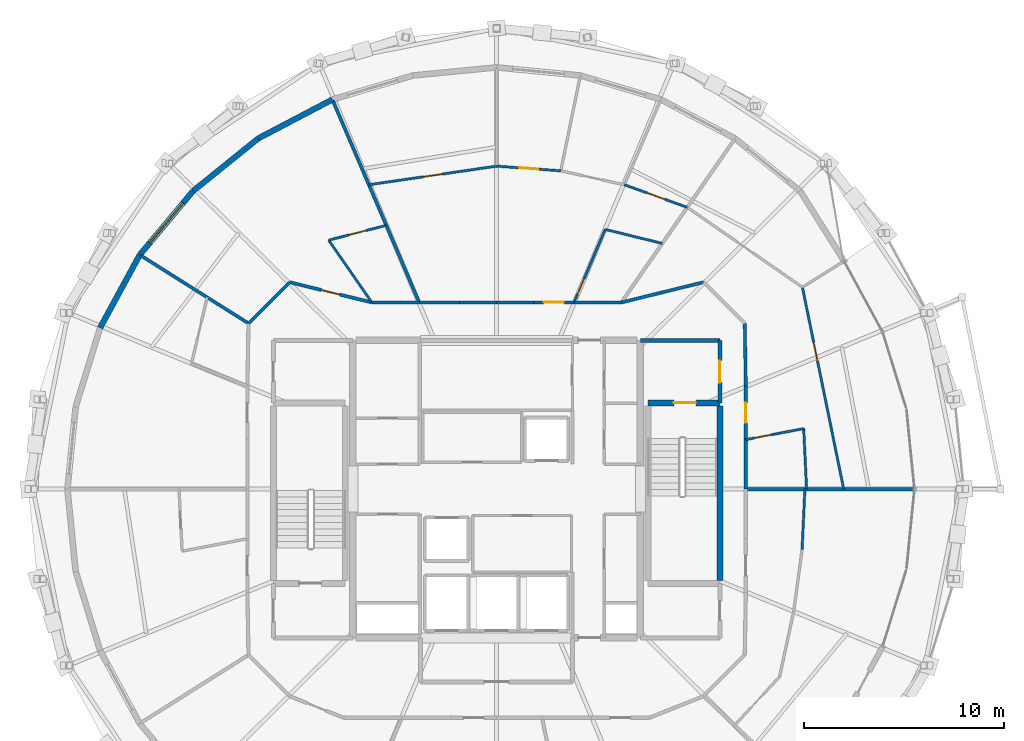
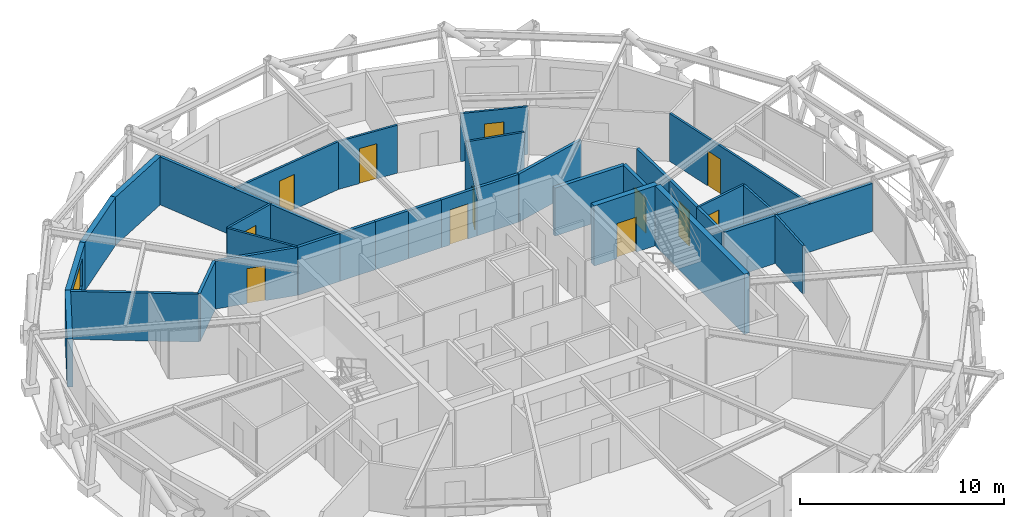
# One storey, part 16 of 18: 34 walls, 12 doors, 1 window, 13 openings.
"""IFC4 building model written with IfcOpenShell, lengths in metres."""

from ifc_helpers import new_model, si_unit, direction, frame, frame_2d, origin, place, context, subcontext, project, spatial, rectangle, extrude, material, layer, layer_set, type_object, element, fill, save


model = new_model("IFC4")

# Units and contexts
model_context = context("Model", 3, precision=1e-05, world=origin(), true_north=direction((0.0, 1.0)))
body_context = subcontext(model_context, "Body", "Model", "MODEL_VIEW")
ifc_project = project(units=[si_unit("LENGTHUNIT", "METRE"), si_unit("AREAUNIT", "SQUARE_METRE"), si_unit("VOLUMEUNIT", "CUBIC_METRE"), si_unit("PLANEANGLEUNIT", "RADIAN"), si_unit("MASSUNIT", "GRAM", prefix="KILO")], contexts=[model_context])

# Site, building, storey
site_placement = place(None, origin())
site = spatial("IfcSite", under=ifc_project, at=site_placement, CompositionType="ELEMENT")
building_placement = place(site_placement, origin())
building = spatial("IfcBuilding", under=site, at=building_placement, Name="Veldorina Hangang Commons", CompositionType="ELEMENT")
storey_placement = place(building_placement, frame((0.0, 0.0, 243.60009765625)))
storey = spatial("IfcBuildingStorey", under=building, at=storey_placement, Name="L63", CompositionType="ELEMENT", Elevation=243.60009765625)

# Walls
ifc_material_1 = material(Name="Stone Roman Travertine", Category="masonry")
ifc_layer_1 = layer(ifc_material_1, 0.280029296875)
ifc_layer_set_1 = layer_set([ifc_layer_1], Name="Stone Roman Travertine")
wall_type_1 = type_object("IfcWallType", Name="EW-TRAV-280", PredefinedType="STANDARD", material=ifc_layer_set_1)
wall_1_placement = place(storey_placement, frame((23.77490234375, 43.513916015625, 0.0), z_axis=(0.0, 0.0, 1.0), x_axis=(-0.885290153249, -0.46503907853, 0.0)))
element("IfcWall", 1, at=wall_1_placement, inside=storey, type_object=wall_type_1, Name="L63 travertine facade wall 10", PredefinedType="STANDARD", context=body_context, shape_type="SweptSolid", body=[
    extrude(rectangle(XDim=4.197265625, YDim=0.280029296875, at=frame_2d((2.0986328125, 0.0))), origin(), (0.0, 0.0, 1.0), 2.8798828125),
])
wall_2_placement = place(storey_placement, frame((20.05908203125, 41.56201171875, 0.0), z_axis=(0.0, 0.0, 1.0), x_axis=(-0.778409360575, -0.627757012999, 0.0)))
element("IfcWall", 2, at=wall_2_placement, inside=storey, type_object=wall_type_1, Name="L63 travertine facade wall 11", PredefinedType="STANDARD", context=body_context, shape_type="SweptSolid", body=[
    extrude(rectangle(XDim=4.184326171875, YDim=0.280029296875, at=frame_2d((2.09228515625, 0.0))), origin(), (0.0, 0.0, 1.0), 2.8798828125),
])

# Wall, opening, window
wall_3_placement = place(storey_placement, frame((16.802001953125, 38.935302734375, 0.0), z_axis=(0.0, 0.0, 1.0), x_axis=(-0.64097876836, -0.767558609171, 0.0)))
wall_3 = element("IfcWall", 3, at=wall_3_placement, inside=storey, type_object=wall_type_1, Name="L63 travertine facade wall 12", PredefinedType="STANDARD", context=body_context, shape_type="SweptSolid", body=[
    extrude(rectangle(XDim=4.169921875, YDim=0.280029296875, at=frame_2d((2.0849609375, 0.0))), origin(), (0.0, 0.0, 1.0), 2.8798828125),
])
opening_1_placement = place(wall_3_placement, frame((0.784912109375, 0.0, 0.800048828125)))
opening_1 = element("IfcOpeningElement", 4, at=opening_1_placement, cuts=wall_3, Name="Opening W-02", PredefinedType="OPENING", context=body_context, shape_type="SweptSolid", body=[
    extrude(rectangle(XDim=2.60009765625, YDim=1.64990234375, at=frame_2d((1.300048828125, 0.824951171875))), frame((0.0, 0.14990234375, 0.0), z_axis=(0.0, -1.0, 0.0), x_axis=(1.0, 0.0, 0.0)), (0.0, 0.0, 1.0), 0.300048828125),
])
ifc_material_2 = material(Name="Glass Low-E Triple IGU", Category="glass")
window_type = type_object("IfcWindowType", Name="WIN-TWR-2600", PartitioningType="SINGLE_PANEL", PredefinedType="WINDOW", material=ifc_material_2)
window_placement = place(opening_1_placement, origin())
window = element("IfcWindow", 5, at=window_placement, inside=storey, type_object=window_type, Name="L63 facade window 12", OverallHeight=1.64990234375, OverallWidth=2.60009765625, PartitioningType="SINGLE_PANEL", PredefinedType="WINDOW", context=body_context, shape_type="SweptSolid", body=[
    extrude(rectangle(XDim=2.60009765625, YDim=1.64990234375, at=frame_2d((1.300048828125, 0.824951171875))), frame((0.0, 0.030029296875, 0.0), z_axis=(0.0, -1.0, 0.0), x_axis=(1.0, 0.0, 0.0)), (0.0, 0.0, 1.0), 0.06005859375),
])
fill(opening_1, window)

# Walls
wall_4_placement = place(storey_placement, frame((14.129150390625, 35.734619140625, 0.0), z_axis=(0.0, 0.0, 1.0), x_axis=(-0.477839535555, -0.878447140277, 0.0)))
element("IfcWall", 6, at=wall_4_placement, inside=storey, type_object=wall_type_1, Name="L63 travertine facade wall 13", PredefinedType="STANDARD", context=body_context, shape_type="SweptSolid", body=[
    extrude(rectangle(XDim=4.156982421875, YDim=0.280029296875, at=frame_2d((2.07861328125, 0.0))), origin(), (0.0, 0.0, 1.0), 2.8798828125),
])
ifc_material_3 = material(Name="Concrete C50/60", Category="concrete")
ifc_layer_2 = layer(ifc_material_3, 0.300048828125)
ifc_layer_set_2 = layer_set([ifc_layer_2], Name="Concrete C50/60")
wall_type_2 = type_object("IfcWallType", Name="SW-STAIR-300", PredefinedType="SHEAR", material=ifc_layer_set_2)
wall_5_placement = place(storey_placement, frame((43.179931640625, 19.429931640625, 0.0), z_axis=(0.0, 0.0, 1.0), x_axis=(0.0, 1.0, 0.0)))
element("IfcWall", 7, at=wall_5_placement, inside=storey, type_object=wall_type_2, Name="L63 ST2 outer stair shear wall", PredefinedType="SHEAR", context=body_context, shape_type="SweptSolid", body=[
    extrude(rectangle(XDim=8.739990234375, YDim=0.300048828125, at=frame_2d((4.3701171875, 0.0))), origin(), (0.0, 0.0, 1.0), 3.599853515625),
])

# Wall, opening, door
wall_6_placement = place(storey_placement, frame((39.580078125, 28.320068359375, 0.0), z_axis=(0.0, 0.0, 1.0), x_axis=(1.0, 0.0, 0.0)))
wall_6 = element("IfcWall", 8, at=wall_6_placement, inside=storey, type_object=wall_type_2, Name="L63 ST2 north stair shear wall", PredefinedType="SHEAR", context=body_context, shape_type="SweptSolid", body=[
    extrude(rectangle(XDim=3.599853515625, YDim=0.300048828125, at=frame_2d((1.7998046875, 0.0))), origin(), (0.0, 0.0, 1.0), 3.599853515625),
])
opening_2_placement = place(wall_6_placement, frame((1.300048828125, 0.0, 0.0)))
opening_2 = element("IfcOpeningElement", 9, at=opening_2_placement, cuts=wall_6, Name="Opening D-08", PredefinedType="OPENING", context=body_context, shape_type="SweptSolid", body=[
    extrude(rectangle(XDim=1.10009765625, YDim=2.10009765625, at=frame_2d((0.550048828125, 1.050048828125))), frame((0.0, 0.16015625, 0.0), z_axis=(0.0, -1.0, 0.0), x_axis=(1.0, 0.0, 0.0)), (0.0, 0.0, 1.0), 0.320068359375),
])
ifc_material_4 = material(Name="Steel Fire-Rated Smoke Seal", Category="steel")
door_type_1 = type_object("IfcDoorType", Name="DR-FIRE-1100", OperationType="SINGLE_SWING_RIGHT", PredefinedType="DOOR", material=ifc_material_4)
door_1_placement = place(opening_2_placement, origin())
door_1 = element("IfcDoor", 10, at=door_1_placement, inside=storey, type_object=door_type_1, Name="L63 Special Escape Stair ST-2 door", OperationType="SINGLE_SWING_RIGHT", OverallHeight=2.10009765625, OverallWidth=1.10009765625, PredefinedType="DOOR", context=body_context, shape_type="SweptSolid", body=[
    extrude(rectangle(XDim=1.10009765625, YDim=2.10009765625, at=frame_2d((0.550048828125, 1.050048828125))), frame((0.0, 0.02490234375, 0.0), z_axis=(0.0, -1.0, 0.0), x_axis=(1.0, 0.0, 0.0)), (0.0, 0.0, 1.0), 0.050048828125),
])
fill(opening_2, door_1)

# Wall
ifc_material_5 = material(Name="Gypsum Fire-Rated Twin Stud Wall", Category="gypsum")
ifc_layer_3 = layer(ifc_material_5, 0.159912109375)
ifc_layer_set_3 = layer_set([ifc_layer_3], Name="Gypsum Fire-Rated Twin Stud Wall")
wall_type_3 = type_object("IfcWallType", Name="WL-FIRE-160", PredefinedType="SOLIDWALL", material=ifc_layer_set_3)
wall_7_placement = place(storey_placement, frame((44.47998046875, 24.0, 0.0), z_axis=(0.0, 0.0, 1.0), x_axis=(0.0, 1.0, 0.0)))
element("IfcWall", 11, at=wall_7_placement, inside=storey, type_object=wall_type_3, Name="L63 Compact collar outer wall 00 052", PredefinedType="SOLIDWALL", context=body_context, shape_type="SweptSolid", body=[
    extrude(rectangle(XDim=2.482421875, YDim=0.159912109375, at=frame_2d((1.2412109375, 0.0))), origin(), (0.0, 0.0, 1.0), 2.869873046875),
])

# Wall, opening, door
wall_8_placement = place(storey_placement, frame((44.47998046875, 26.482421875, 0.0), z_axis=(0.0, 0.0, 1.0), x_axis=(0.0, 1.0, 0.0)))
wall_8 = element("IfcWall", 12, at=wall_8_placement, inside=storey, type_object=wall_type_3, Name="L63 Compact collar outer wall 01 053", PredefinedType="SOLIDWALL", context=body_context, shape_type="SweptSolid", body=[
    extrude(rectangle(XDim=2.68701171875, YDim=0.159912109375, at=frame_2d((1.343505859375, 0.0))), origin(), (0.0, 0.0, 1.0), 2.869873046875),
])
opening_3_placement = place(wall_8_placement, frame((0.843505859375, 0.0, 0.0)))
opening_3 = element("IfcOpeningElement", 13, at=opening_3_placement, cuts=wall_8, Name="Opening D-06", PredefinedType="OPENING", context=body_context, shape_type="SweptSolid", body=[
    extrude(rectangle(XDim=1.0, YDim=2.10009765625, at=frame_2d((0.5, 1.050048828125))), frame((0.0, 0.08984375, 0.0), z_axis=(0.0, -1.0, 0.0), x_axis=(1.0, 0.0, 0.0)), (0.0, 0.0, 1.0), 0.179931640625),
])
ifc_material_6 = material(Name="Timber Fire-Rated Entrance Core", Category="wood")
door_type_2 = type_object("IfcDoorType", Name="DR-UNIT-1000", OperationType="SINGLE_SWING_LEFT", PredefinedType="DOOR", material=ifc_material_6)
door_2_placement = place(opening_3_placement, origin())
door_2 = element("IfcDoor", 14, at=door_2_placement, inside=storey, type_object=door_type_2, Name="L63 Cluster 2 entrance door 023", OperationType="SINGLE_SWING_LEFT", OverallHeight=2.10009765625, OverallWidth=1.0, PredefinedType="DOOR", context=body_context, shape_type="SweptSolid", body=[
    extrude(rectangle(XDim=1.0, YDim=2.10009765625, at=frame_2d((0.5, 1.050048828125))), frame((0.0, 0.02490234375, 0.0), z_axis=(0.0, -1.0, 0.0), x_axis=(1.0, 0.0, 0.0)), (0.0, 0.0, 1.0), 0.050048828125),
])
fill(opening_3, door_2)

# Walls
wall_9_placement = place(storey_placement, frame((44.47998046875, 29.16943359375, 0.0), z_axis=(0.0, 0.0, 1.0), x_axis=(-0.016981035134, 0.999855811828, 0.0)))
element("IfcWall", 15, at=wall_9_placement, inside=storey, type_object=wall_type_3, Name="L63 Compact collar outer wall 02 054", PredefinedType="SOLIDWALL", context=body_context, shape_type="SweptSolid", body=[
    extrude(rectangle(XDim=3.13427734375, YDim=0.159912109375, at=frame_2d((1.567138671875, 0.0))), origin(), (0.0, 0.0, 1.0), 2.869873046875),
])
wall_10_placement = place(storey_placement, frame((42.364990234375, 34.364990234375, 0.0), z_axis=(0.0, 0.0, 1.0), x_axis=(-0.970939799552, -0.239323850978, 0.0)))
element("IfcWall", 16, at=wall_10_placement, inside=storey, type_object=wall_type_3, Name="L63 Compact collar outer wall 04 056", PredefinedType="SOLIDWALL", context=body_context, shape_type="SweptSolid", body=[
    extrude(rectangle(XDim=4.24072265625, YDim=0.159912109375, at=frame_2d((2.120361328125, 0.0))), origin(), (0.0, 0.0, 1.0), 2.869873046875),
])
wall_11_placement = place(storey_placement, frame((38.24755859375, 33.35009765625, 0.0), z_axis=(0.0, 0.0, 1.0), x_axis=(-1.0, 0.0, 0.0)))
element("IfcWall", 17, at=wall_11_placement, inside=storey, type_object=wall_type_3, Name="L63 Compact collar outer wall 05 057", PredefinedType="SOLIDWALL", context=body_context, shape_type="SweptSolid", body=[
    extrude(rectangle(XDim=2.374755859375, YDim=0.159912109375, at=frame_2d((1.1875, 0.0))), origin(), (0.0, 0.0, 1.0), 2.869873046875),
])

# Wall, opening, door
wall_12_placement = place(storey_placement, frame((35.872802734375, 33.35009765625, 0.0), z_axis=(0.0, 0.0, 1.0), x_axis=(-1.0, 0.0, 0.0)))
wall_12 = element("IfcWall", 18, at=wall_12_placement, inside=storey, type_object=wall_type_3, Name="L63 Compact collar outer wall 06 058", PredefinedType="SOLIDWALL", context=body_context, shape_type="SweptSolid", body=[
    extrude(rectangle(XDim=2.012939453125, YDim=0.159912109375, at=frame_2d((1.00634765625, 0.0))), origin(), (0.0, 0.0, 1.0), 2.869873046875),
])
opening_4_placement = place(wall_12_placement, frame((0.506591796875, 0.0, 0.0)))
opening_4 = element("IfcOpeningElement", 19, at=opening_4_placement, cuts=wall_12, Name="Opening D-06", PredefinedType="OPENING", context=body_context, shape_type="SweptSolid", body=[
    extrude(rectangle(XDim=1.0, YDim=2.10009765625, at=frame_2d((0.5, 1.050048828125))), frame((0.0, 0.08984375, 0.0), z_axis=(0.0, -1.0, 0.0), x_axis=(1.0, 0.0, 0.0)), (0.0, 0.0, 1.0), 0.179931640625),
])
door_3_placement = place(opening_4_placement, origin())
door_3 = element("IfcDoor", 20, at=door_3_placement, inside=storey, type_object=door_type_2, Name="L63 Cluster 3 entrance door 027", OperationType="SINGLE_SWING_LEFT", OverallHeight=2.10009765625, OverallWidth=1.0, PredefinedType="DOOR", context=body_context, shape_type="SweptSolid", body=[
    extrude(rectangle(XDim=1.0, YDim=2.10009765625, at=frame_2d((0.5, 1.050048828125))), frame((0.0, 0.02490234375, 0.0), z_axis=(0.0, -1.0, 0.0), x_axis=(1.0, 0.0, 0.0)), (0.0, 0.0, 1.0), 0.050048828125),
])
fill(opening_4, door_3)

# Walls
for number, where, z_axis, x_axis, name in (
    (21, (33.85986328125, 33.35009765625, 0.0), (0.0, 0.0, 1.0), (-1.0, 0.0, 0.0), "L63 Compact collar outer wall 07 059"),
    (22, (32.0, 33.35009765625, 0.0), (0.0, 0.0, 1.0), (-1.0, 0.0, 0.0), "L63 Compact collar outer wall 08 060"),
):
    element("IfcWall", number, at=place(storey_placement, frame(where, z_axis=z_axis, x_axis=x_axis)), inside=storey, type_object=wall_type_3, Name=name, PredefinedType="SOLIDWALL", context=body_context, shape_type="SweptSolid", body=[
        extrude(rectangle(XDim=1.85986328125, YDim=0.159912109375, at=frame_2d((0.929931640625, 0.0))), origin(), (0.0, 0.0, 1.0), 2.869873046875),
    ])
wall_13_placement = place(storey_placement, frame((30.14013671875, 33.35009765625, 0.0), z_axis=(0.0, 0.0, 1.0), x_axis=(-1.0, 0.0, 0.0)))
element("IfcWall", 23, at=wall_13_placement, inside=storey, type_object=wall_type_3, Name="L63 Compact collar outer wall 09 061", PredefinedType="SOLIDWALL", context=body_context, shape_type="SweptSolid", body=[
    extrude(rectangle(XDim=2.012939453125, YDim=0.159912109375, at=frame_2d((1.00634765625, 0.0))), origin(), (0.0, 0.0, 1.0), 2.869873046875),
])
wall_14_placement = place(storey_placement, frame((28.127197265625, 33.35009765625, 0.0), z_axis=(0.0, 0.0, 1.0), x_axis=(-1.0, 0.0, 0.0)))
element("IfcWall", 24, at=wall_14_placement, inside=storey, type_object=wall_type_3, Name="L63 Compact collar outer wall 10 062", PredefinedType="SOLIDWALL", context=body_context, shape_type="SweptSolid", body=[
    extrude(rectangle(XDim=2.374755859375, YDim=0.159912109375, at=frame_2d((1.1875, 0.0))), origin(), (0.0, 0.0, 1.0), 2.869873046875),
])

# Wall, opening, door
wall_15_placement = place(storey_placement, frame((25.75244140625, 33.35009765625, 0.0), z_axis=(0.0, 0.0, 1.0), x_axis=(-0.970939799552, 0.239323850978, 0.0)))
wall_15 = element("IfcWall", 25, at=wall_15_placement, inside=storey, type_object=wall_type_3, Name="L63 Compact collar outer wall 11 063", PredefinedType="SOLIDWALL", context=body_context, shape_type="SweptSolid", body=[
    extrude(rectangle(XDim=4.24072265625, YDim=0.159912109375, at=frame_2d((2.120361328125, 0.0))), origin(), (0.0, 0.0, 1.0), 2.869873046875),
])
opening_5_placement = place(wall_15_placement, frame((1.6455078125, 0.0, 0.0)))
opening_5 = element("IfcOpeningElement", 26, at=opening_5_placement, cuts=wall_15, Name="Opening D-03", PredefinedType="OPENING", context=body_context, shape_type="SweptSolid", body=[
    extrude(rectangle(XDim=0.949951171875, YDim=2.10009765625, at=frame_2d((0.47509765625, 1.050048828125))), frame((0.0, 0.08984375, 0.0), z_axis=(0.0, -1.0, 0.0), x_axis=(1.0, 0.0, 0.0)), (0.0, 0.0, 1.0), 0.179931640625),
])
door_type_3 = type_object("IfcDoorType", Name="DR-UNIT-950", OperationType="SINGLE_SWING_RIGHT", PredefinedType="DOOR", material=ifc_material_6)
door_4_placement = place(opening_5_placement, origin())
door_4 = element("IfcDoor", 27, at=door_4_placement, inside=storey, type_object=door_type_3, Name="L63 Studio 4 entrance door 033", OperationType="SINGLE_SWING_LEFT", OverallHeight=2.10009765625, OverallWidth=0.949951171875, PredefinedType="DOOR", context=body_context, shape_type="SweptSolid", body=[
    extrude(rectangle(XDim=0.949951171875, YDim=2.10009765625, at=frame_2d((0.47509765625, 1.050048828125))), frame((0.0, 0.02490234375, 0.0), z_axis=(0.0, -1.0, 0.0), x_axis=(1.0, 0.0, 0.0)), (0.0, 0.0, 1.0), 0.050048828125),
])
fill(opening_5, door_4)

# Walls
wall_16_placement = place(storey_placement, frame((21.635009765625, 34.364990234375, 0.0), z_axis=(0.0, 0.0, 1.0), x_axis=(-0.707106781187, -0.707106781187, 0.0)))
element("IfcWall", 28, at=wall_16_placement, inside=storey, type_object=wall_type_3, Name="L63 Compact collar outer wall 12 064", PredefinedType="SOLIDWALL", context=body_context, shape_type="SweptSolid", body=[
    extrude(rectangle(XDim=2.915771484375, YDim=0.159912109375, at=frame_2d((1.4580078125, 0.0))), origin(), (0.0, 0.0, 1.0), 2.869873046875),
])
wall_17_placement = place(storey_placement, frame((44.47998046875, 24.0, 0.0), z_axis=(0.0, 0.0, 1.0), x_axis=(1.0, 0.0, 0.0)))
element("IfcWall", 29, at=wall_17_placement, inside=storey, type_object=wall_type_3, Name="L63 Unit party wall 00 089", PredefinedType="SOLIDWALL", context=body_context, shape_type="SweptSolid", body=[
    extrude(rectangle(XDim=8.4033203125, YDim=0.159912109375, at=frame_2d((4.20166015625, 0.0))), origin(), (0.0, 0.0, 1.0), 2.869873046875),
])
wall_18_placement = place(storey_placement, frame((28.127197265625, 33.35009765625, 0.0), z_axis=(0.0, 0.0, 1.0), x_axis=(-0.393632832197, 0.919267748492, 0.0)))
element("IfcWall", 30, at=wall_18_placement, inside=storey, type_object=wall_type_3, Name="L63 Unit party wall 10 105", PredefinedType="SOLIDWALL", context=body_context, shape_type="SweptSolid", body=[
    extrude(rectangle(XDim=11.006591796875, YDim=0.159912109375, at=frame_2d((5.50341796875, 0.0))), origin(), (0.0, 0.0, 1.0), 2.869873046875),
])
wall_19_placement = place(storey_placement, frame((19.5732421875, 32.30322265625, 0.0), z_axis=(0.0, 0.0, 1.0), x_axis=(-0.845977345185, 0.533218840096, 0.0)))
element("IfcWall", 31, at=wall_19_placement, inside=storey, type_object=wall_type_3, Name="L63 Unit party wall 13 108", PredefinedType="SOLIDWALL", context=body_context, shape_type="SweptSolid", body=[
    extrude(rectangle(XDim=6.38525390625, YDim=0.159912109375, at=frame_2d((3.192626953125, 0.0))), origin(), (0.0, 0.0, 1.0), 2.869873046875),
])

# Wall, opening, door
ifc_material_7 = material(Name="Concrete Blockwork Fire Wall C30/37", Category="masonry")
ifc_layer_4 = layer(ifc_material_7, 0.199951171875)
ifc_layer_set_4 = layer_set([ifc_layer_4], Name="Concrete Blockwork Fire Wall C30/37")
wall_type_4 = type_object("IfcWallType", Name="WL-FIRE-200", PredefinedType="SOLIDWALL", material=ifc_layer_set_4)
wall_20_placement = place(storey_placement, frame((43.179931640625, 28.320068359375, 0.0), z_axis=(0.0, 0.0, 1.0), x_axis=(0.0, 1.0, 0.0)))
wall_20 = element("IfcWall", 32, at=wall_20_placement, inside=storey, type_object=wall_type_4, Name="L63 East vestibule outer wall 003", PredefinedType="SOLIDWALL", context=body_context, shape_type="SweptSolid", body=[
    extrude(rectangle(XDim=3.1298828125, YDim=0.199951171875, at=frame_2d((1.56494140625, 0.0))), origin(), (0.0, 0.0, 1.0), 2.869873046875),
])
opening_6_placement = place(wall_20_placement, frame((1.014892578125, 0.0, 0.0)))
opening_6 = element("IfcOpeningElement", 33, at=opening_6_placement, cuts=wall_20, Name="Opening D-08", PredefinedType="OPENING", context=body_context, shape_type="SweptSolid", body=[
    extrude(rectangle(XDim=1.10009765625, YDim=2.10009765625, at=frame_2d((0.550048828125, 1.050048828125))), frame((0.0, 0.10986328125, 0.0), z_axis=(0.0, -1.0, 0.0), x_axis=(1.0, 0.0, 0.0)), (0.0, 0.0, 1.0), 0.219970703125),
])
door_5_placement = place(opening_6_placement, origin())
door_5 = element("IfcDoor", 34, at=door_5_placement, inside=storey, type_object=door_type_1, Name="L63 East vestibule east door 002", OperationType="SINGLE_SWING_RIGHT", OverallHeight=2.10009765625, OverallWidth=1.10009765625, PredefinedType="DOOR", context=body_context, shape_type="SweptSolid", body=[
    extrude(rectangle(XDim=1.10009765625, YDim=2.10009765625, at=frame_2d((0.550048828125, 1.050048828125))), frame((0.0, 0.02490234375, 0.0), z_axis=(0.0, -1.0, 0.0), x_axis=(1.0, 0.0, 0.0)), (0.0, 0.0, 1.0), 0.050048828125),
])
fill(opening_6, door_5)

# Walls
wall_21_placement = place(storey_placement, frame((39.199951171875, 31.449951171875, 0.0), z_axis=(0.0, 0.0, 1.0), x_axis=(1.0, 0.0, 0.0)))
element("IfcWall", 35, at=wall_21_placement, inside=storey, type_object=wall_type_4, Name="L63 East vestibule north wall 004", PredefinedType="SOLIDWALL", context=body_context, shape_type="SweptSolid", body=[
    extrude(rectangle(XDim=3.97998046875, YDim=0.199951171875, at=frame_2d((1.989990234375, 0.0))), origin(), (0.0, 0.0, 1.0), 2.869873046875),
])
ifc_material_8 = material(Name="Gypsum Acoustic Stud Partition", Category="gypsum")
ifc_layer_5 = layer(ifc_material_8, 0.1201171875)
ifc_layer_set_5 = layer_set([ifc_layer_5], Name="Gypsum Acoustic Stud Partition")
wall_type_5 = type_object("IfcWallType", Name="WL-PART-120", PredefinedType="PARTITIONING", material=ifc_layer_set_5)
wall_22_placement = place(storey_placement, frame((47.2978515625, 20.982421875, 0.0), z_axis=(0.0, 0.0, 1.0), x_axis=(0.046632063195, 0.998912133614, 0.0)))
element("IfcWall", 36, at=wall_22_placement, inside=storey, type_object=wall_type_5, Name="L63 Lounge alcove split 3 088", PredefinedType="PARTITIONING", context=body_context, shape_type="SweptSolid", body=[
    extrude(rectangle(XDim=3.020751953125, YDim=0.1201171875, at=frame_2d((1.51025390625, 0.0))), origin(), (0.0, 0.0, 1.0), 2.869873046875),
])
wall_23_placement = place(storey_placement, frame((47.523193359375, 24.0, 0.0), z_axis=(0.0, 0.0, 1.0), x_axis=(-0.047683582127, 0.998862491034, 0.0)))
element("IfcWall", 37, at=wall_23_placement, inside=storey, type_object=wall_type_5, Name="L63 Cluster 2 bath front wall 090", PredefinedType="PARTITIONING", context=body_context, shape_type="SweptSolid", body=[
    extrude(rectangle(XDim=3.0361328125, YDim=0.1201171875, at=frame_2d((1.51806640625, 0.0))), origin(), (0.0, 0.0, 1.0), 2.869873046875),
])

# Wall, opening, door
wall_24_placement = place(storey_placement, frame((44.47998046875, 26.482421875, 0.0), z_axis=(0.0, 0.0, 1.0), x_axis=(0.982449937111, 0.186526462117, 0.0)))
wall_24 = element("IfcWall", 38, at=wall_24_placement, inside=storey, type_object=wall_type_5, Name="L63 Cluster 2 bath side wall 091", PredefinedType="PARTITIONING", context=body_context, shape_type="SweptSolid", body=[
    extrude(rectangle(XDim=2.9501953125, YDim=0.1201171875, at=frame_2d((1.47509765625, 0.0))), origin(), (0.0, 0.0, 1.0), 2.869873046875),
])
opening_7_placement = place(wall_24_placement, frame((0.43994140625, 0.0, 0.0)))
opening_7 = element("IfcOpeningElement", 39, at=opening_7_placement, cuts=wall_24, Name="Opening D-01", PredefinedType="OPENING", context=body_context, shape_type="SweptSolid", body=[
    extrude(rectangle(XDim=0.860107421875, YDim=2.10009765625, at=frame_2d((0.43017578125, 1.050048828125))), frame((0.0, 0.070068359375, 0.0), z_axis=(0.0, -1.0, 0.0), x_axis=(1.0, 0.0, 0.0)), (0.0, 0.0, 1.0), 0.14013671875),
])
ifc_material_9 = material(Name="Timber Moisture-Resistant Core", Category="wood")
door_type_4 = type_object("IfcDoorType", Name="DR-WET-860", OperationType="SINGLE_SWING_LEFT", PredefinedType="DOOR", material=ifc_material_9)
door_6_placement = place(opening_7_placement, origin())
door_6 = element("IfcDoor", 40, at=door_6_placement, inside=storey, type_object=door_type_4, Name="L63 Cluster 2 shared bathroom door 022", OperationType="SINGLE_SWING_RIGHT", OverallHeight=2.10009765625, OverallWidth=0.860107421875, PredefinedType="DOOR", context=body_context, shape_type="SweptSolid", body=[
    extrude(rectangle(XDim=0.860107421875, YDim=2.10009765625, at=frame_2d((0.43017578125, 1.050048828125))), frame((0.0, 0.02490234375, 0.0), z_axis=(0.0, -1.0, 0.0), x_axis=(1.0, 0.0, 0.0)), (0.0, 0.0, 1.0), 0.050048828125),
])
fill(opening_7, door_6)

wall_25_placement = place(storey_placement, frame((49.3828125, 24.0, 0.0), z_axis=(0.0, 0.0, 1.0), x_axis=(-0.200398815881, 0.979714404607, 0.0)))
wall_25 = element("IfcWall", 41, at=wall_25_placement, inside=storey, type_object=wall_type_5, Name="L63 Cluster 2 bed 1 front wall 092", PredefinedType="PARTITIONING", context=body_context, shape_type="SweptSolid", body=[
    extrude(rectangle(XDim=10.322509765625, YDim=0.1201171875, at=frame_2d((5.1611328125, 0.0))), origin(), (0.0, 0.0, 1.0), 2.869873046875),
])
opening_8_placement = place(wall_25_placement, frame((6.554443359375, 0.0, 0.0)))
opening_8 = element("IfcOpeningElement", 42, at=opening_8_placement, cuts=wall_25, Name="Opening D-02", PredefinedType="OPENING", context=body_context, shape_type="SweptSolid", body=[
    extrude(rectangle(XDim=0.949951171875, YDim=2.10009765625, at=frame_2d((0.47509765625, 1.050048828125))), frame((0.0, 0.070068359375, 0.0), z_axis=(0.0, -1.0, 0.0), x_axis=(1.0, 0.0, 0.0)), (0.0, 0.0, 1.0), 0.14013671875),
])
ifc_material_10 = material(Name="Timber Solid Core Acoustic", Category="wood")
door_type_5 = type_object("IfcDoorType", Name="DR-INT-950", OperationType="SINGLE_SWING_LEFT", PredefinedType="DOOR", material=ifc_material_10)
door_7_placement = place(opening_8_placement, origin())
door_7 = element("IfcDoor", 43, at=door_7_placement, inside=storey, type_object=door_type_5, Name="L63 Cluster 2 bed 1 door 024", OperationType="SINGLE_SWING_RIGHT", OverallHeight=2.10009765625, OverallWidth=0.949951171875, PredefinedType="DOOR", context=body_context, shape_type="SweptSolid", body=[
    extrude(rectangle(XDim=0.949951171875, YDim=2.10009765625, at=frame_2d((0.47509765625, 1.050048828125))), frame((0.0, 0.02490234375, 0.0), z_axis=(0.0, -1.0, 0.0), x_axis=(1.0, 0.0, 0.0)), (0.0, 0.0, 1.0), 0.050048828125),
])
fill(opening_8, door_7)

# Wall
wall_26_placement = place(storey_placement, frame((40.297119140625, 36.306396484375, 0.0), z_axis=(0.0, 0.0, 1.0), x_axis=(-0.971072323886, 0.238785556061, 0.0)))
element("IfcWall", 44, at=wall_26_placement, inside=storey, type_object=wall_type_5, Name="L63 Cluster 3 bath front wall 096", PredefinedType="PARTITIONING", context=body_context, shape_type="SweptSolid", body=[
    extrude(rectangle(XDim=2.942626953125, YDim=0.1201171875, at=frame_2d((1.47119140625, 0.0))), origin(), (0.0, 0.0, 1.0), 2.869873046875),
])

# Wall, opening, door
wall_27_placement = place(storey_placement, frame((35.872802734375, 33.35009765625, 0.0), z_axis=(0.0, 0.0, 1.0), x_axis=(0.393660187427, 0.919256034429, 0.0)))
wall_27 = element("IfcWall", 45, at=wall_27_placement, inside=storey, type_object=wall_type_5, Name="L63 Cluster 3 bath side wall 097", PredefinedType="PARTITIONING", context=body_context, shape_type="SweptSolid", body=[
    extrude(rectangle(XDim=3.980224609375, YDim=0.1201171875, at=frame_2d((1.990234375, 0.0))), origin(), (0.0, 0.0, 1.0), 2.869873046875),
])
opening_9_placement = place(wall_27_placement, frame((0.43994140625, 0.0, 0.0)))
opening_9 = element("IfcOpeningElement", 46, at=opening_9_placement, cuts=wall_27, Name="Opening D-01", PredefinedType="OPENING", context=body_context, shape_type="SweptSolid", body=[
    extrude(rectangle(XDim=0.860107421875, YDim=2.10009765625, at=frame_2d((0.43017578125, 1.050048828125))), frame((0.0, 0.070068359375, 0.0), z_axis=(0.0, -1.0, 0.0), x_axis=(1.0, 0.0, 0.0)), (0.0, 0.0, 1.0), 0.14013671875),
])
door_8_placement = place(opening_9_placement, origin())
door_8 = element("IfcDoor", 47, at=door_8_placement, inside=storey, type_object=door_type_4, Name="L63 Cluster 3 shared bathroom door 026", OperationType="SINGLE_SWING_RIGHT", OverallHeight=2.10009765625, OverallWidth=0.860107421875, PredefinedType="DOOR", context=body_context, shape_type="SweptSolid", body=[
    extrude(rectangle(XDim=0.860107421875, YDim=2.10009765625, at=frame_2d((0.43017578125, 1.050048828125))), frame((0.0, 0.02490234375, 0.0), z_axis=(0.0, -1.0, 0.0), x_axis=(1.0, 0.0, 0.0)), (0.0, 0.0, 1.0), 0.050048828125),
])
fill(opening_9, door_8)

wall_28_placement = place(storey_placement, frame((41.5498046875, 38.113037109375, 0.0), z_axis=(0.0, 0.0, 1.0), x_axis=(-0.94115841408, 0.337965737326, 0.0)))
wall_28 = element("IfcWall", 48, at=wall_28_placement, inside=storey, type_object=wall_type_5, Name="L63 Cluster 3 bed 1 front wall 098", PredefinedType="PARTITIONING", context=body_context, shape_type="SweptSolid", body=[
    extrude(rectangle(XDim=3.349609375, YDim=0.1201171875, at=frame_2d((1.6748046875, 0.0))), origin(), (0.0, 0.0, 1.0), 2.869873046875),
])
opening_10_placement = place(wall_28_placement, frame((1.19970703125, 0.0, 0.0)))
opening_10 = element("IfcOpeningElement", 49, at=opening_10_placement, cuts=wall_28, Name="Opening D-02", PredefinedType="OPENING", context=body_context, shape_type="SweptSolid", body=[
    extrude(rectangle(XDim=0.949951171875, YDim=2.10009765625, at=frame_2d((0.47509765625, 1.050048828125))), frame((0.0, 0.070068359375, 0.0), z_axis=(0.0, -1.0, 0.0), x_axis=(1.0, 0.0, 0.0)), (0.0, 0.0, 1.0), 0.14013671875),
])
door_9_placement = place(opening_10_placement, origin())
door_9 = element("IfcDoor", 50, at=door_9_placement, inside=storey, type_object=door_type_5, Name="L63 Cluster 3 bed 1 door 028", OperationType="SINGLE_SWING_RIGHT", OverallHeight=2.10009765625, OverallWidth=0.949951171875, PredefinedType="DOOR", context=body_context, shape_type="SweptSolid", body=[
    extrude(rectangle(XDim=0.949951171875, YDim=2.10009765625, at=frame_2d((0.47509765625, 1.050048828125))), frame((0.0, 0.02490234375, 0.0), z_axis=(0.0, -1.0, 0.0), x_axis=(1.0, 0.0, 0.0)), (0.0, 0.0, 1.0), 0.050048828125),
])
fill(opening_10, door_9)

wall_29_placement = place(storey_placement, frame((35.213134765625, 39.9423828125, 0.0), z_axis=(0.0, 0.0, 1.0), x_axis=(-0.997333723592, 0.072975638312, 0.0)))
wall_29 = element("IfcWall", 51, at=wall_29_placement, inside=storey, type_object=wall_type_5, Name="L63 Cluster 3 bed 3 front wall 101", PredefinedType="PARTITIONING", context=body_context, shape_type="SweptSolid", body=[
    extrude(rectangle(XDim=3.2216796875, YDim=0.1201171875, at=frame_2d((1.61083984375, 0.0))), origin(), (0.0, 0.0, 1.0), 2.869873046875),
])
opening_11_placement = place(wall_29_placement, frame((1.135986328125, 0.0, 0.0)))
opening_11 = element("IfcOpeningElement", 52, at=opening_11_placement, cuts=wall_29, Name="Opening D-02", PredefinedType="OPENING", context=body_context, shape_type="SweptSolid", body=[
    extrude(rectangle(XDim=0.949951171875, YDim=2.10009765625, at=frame_2d((0.47509765625, 1.050048828125))), frame((0.0, 0.070068359375, 0.0), z_axis=(0.0, -1.0, 0.0), x_axis=(1.0, 0.0, 0.0)), (0.0, 0.0, 1.0), 0.14013671875),
])
door_10_placement = place(opening_11_placement, origin())
door_10 = element("IfcDoor", 53, at=door_10_placement, inside=storey, type_object=door_type_5, Name="L63 Cluster 3 bed 3 door 030", OperationType="SINGLE_SWING_RIGHT", OverallHeight=2.10009765625, OverallWidth=0.949951171875, PredefinedType="DOOR", context=body_context, shape_type="SweptSolid", body=[
    extrude(rectangle(XDim=0.949951171875, YDim=2.10009765625, at=frame_2d((0.47509765625, 1.050048828125))), frame((0.0, 0.02490234375, 0.0), z_axis=(0.0, -1.0, 0.0), x_axis=(1.0, 0.0, 0.0)), (0.0, 0.0, 1.0), 0.050048828125),
])
fill(opening_11, door_10)

wall_30_placement = place(storey_placement, frame((32.0, 40.177490234375, 0.0), z_axis=(0.0, 0.0, 1.0), x_axis=(-0.989545223303, -0.144222921337, 0.0)))
wall_30 = element("IfcWall", 54, at=wall_30_placement, inside=storey, type_object=wall_type_5, Name="L63 Cluster 3 bed 4 front wall 103", PredefinedType="PARTITIONING", context=body_context, shape_type="SweptSolid", body=[
    extrude(rectangle(XDim=6.46484375, YDim=0.1201171875, at=frame_2d((3.232421875, 0.0))), origin(), (0.0, 0.0, 1.0), 2.869873046875),
])
opening_12_placement = place(wall_30_placement, frame((2.75732421875, 0.0, 0.0)))
opening_12 = element("IfcOpeningElement", 55, at=opening_12_placement, cuts=wall_30, Name="Opening D-02", PredefinedType="OPENING", context=body_context, shape_type="SweptSolid", body=[
    extrude(rectangle(XDim=0.949951171875, YDim=2.10009765625, at=frame_2d((0.47509765625, 1.050048828125))), frame((0.0, 0.070068359375, 0.0), z_axis=(0.0, -1.0, 0.0), x_axis=(1.0, 0.0, 0.0)), (0.0, 0.0, 1.0), 0.14013671875),
])
door_11_placement = place(opening_12_placement, origin())
door_11 = element("IfcDoor", 56, at=door_11_placement, inside=storey, type_object=door_type_5, Name="L63 Cluster 3 bed 4 door 031", OperationType="SINGLE_SWING_LEFT", OverallHeight=2.10009765625, OverallWidth=0.949951171875, PredefinedType="DOOR", context=body_context, shape_type="SweptSolid", body=[
    extrude(rectangle(XDim=0.949951171875, YDim=2.10009765625, at=frame_2d((0.47509765625, 1.050048828125))), frame((0.0, 0.02490234375, 0.0), z_axis=(0.0, -1.0, 0.0), x_axis=(1.0, 0.0, 0.0)), (0.0, 0.0, 1.0), 0.050048828125),
])
fill(opening_12, door_11)

wall_31_placement = place(storey_placement, frame((26.473388671875, 37.21240234375, 0.0), z_axis=(0.0, 0.0, 1.0), x_axis=(-0.96849067282, -0.249049827665, 0.0)))
wall_31 = element("IfcWall", 57, at=wall_31_placement, inside=storey, type_object=wall_type_5, Name="L63 Studio 4 bath front wall 106", PredefinedType="PARTITIONING", context=body_context, shape_type="SweptSolid", body=[
    extrude(rectangle(XDim=2.97802734375, YDim=0.1201171875, at=frame_2d((1.489013671875, 0.0))), origin(), (0.0, 0.0, 1.0), 2.869873046875),
])
opening_13_placement = place(wall_31_placement, frame((1.05908203125, 0.0, 0.0)))
opening_13 = element("IfcOpeningElement", 58, at=opening_13_placement, cuts=wall_31, Name="Opening D-01", PredefinedType="OPENING", context=body_context, shape_type="SweptSolid", body=[
    extrude(rectangle(XDim=0.860107421875, YDim=2.10009765625, at=frame_2d((0.43017578125, 1.050048828125))), frame((0.0, 0.070068359375, 0.0), z_axis=(0.0, -1.0, 0.0), x_axis=(1.0, 0.0, 0.0)), (0.0, 0.0, 1.0), 0.14013671875),
])
door_12_placement = place(opening_13_placement, origin())
door_12 = element("IfcDoor", 59, at=door_12_placement, inside=storey, type_object=door_type_4, Name="L63 Studio 4 bathroom door 032", OperationType="SINGLE_SWING_RIGHT", OverallHeight=2.10009765625, OverallWidth=0.860107421875, PredefinedType="DOOR", context=body_context, shape_type="SweptSolid", body=[
    extrude(rectangle(XDim=0.860107421875, YDim=2.10009765625, at=frame_2d((0.43017578125, 1.050048828125))), frame((0.0, 0.02490234375, 0.0), z_axis=(0.0, -1.0, 0.0), x_axis=(1.0, 0.0, 0.0)), (0.0, 0.0, 1.0), 0.050048828125),
])
fill(opening_13, door_12)

# Wall
wall_32_placement = place(storey_placement, frame((25.75244140625, 33.35009765625, 0.0), z_axis=(0.0, 0.0, 1.0), x_axis=(-0.569728092648, 0.821833255866, 0.0)))
element("IfcWall", 60, at=wall_32_placement, inside=storey, type_object=wall_type_5, Name="L63 Studio 4 bath side wall 107", PredefinedType="PARTITIONING", context=body_context, shape_type="SweptSolid", body=[
    extrude(rectangle(XDim=3.797119140625, YDim=0.1201171875, at=frame_2d((1.8984375, 0.0))), origin(), (0.0, 0.0, 1.0), 2.869873046875),
])

save(model, "model.ifc")
